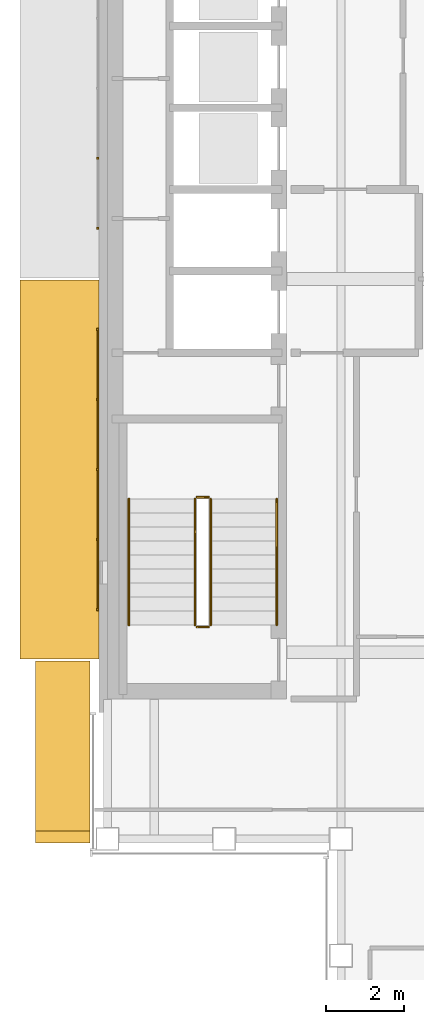
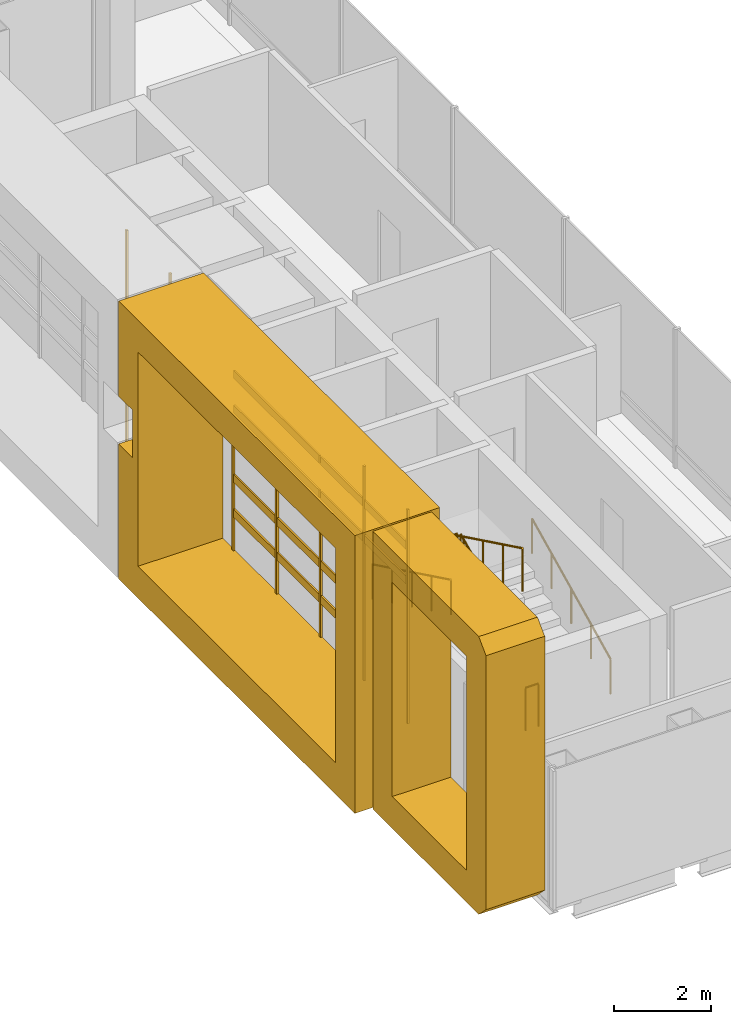
# One storey, part 16 of 21: 17 coverings, 6 railings.
"""IFC4 building model written with IfcOpenShell, lengths in metres."""

from ifc_helpers import new_model, si_unit, direction, frame, origin, origin_2d, place, context, subcontext, project, spatial, polyline, rectangle, circle, outline, extrude, material, type_object, element, save


model = new_model("IFC4")

# Units and contexts
model_context = context("Model", 3, precision=1e-05, world=origin(), true_north=direction((0.0, 1.0)))
body_context = subcontext(model_context, "Body", "Model", "MODEL_VIEW")
ifc_project = project(units=[si_unit("LENGTHUNIT", "METRE"), si_unit("AREAUNIT", "SQUARE_METRE"), si_unit("VOLUMEUNIT", "CUBIC_METRE"), si_unit("PLANEANGLEUNIT", "RADIAN"), si_unit("MASSUNIT", "GRAM", prefix="KILO")], contexts=[model_context])

# Site, building, storey
site_placement = place(None, origin())
site = spatial("IfcSite", under=ifc_project, at=site_placement, CompositionType="ELEMENT")
building_placement = place(site_placement, origin())
building = spatial("IfcBuilding", under=site, at=building_placement, Name="Cobrizo Arcos Hotel Tower", CompositionType="ELEMENT")
storey_placement = place(building_placement, frame((0.0, 0.0, 283.0)))
storey = spatial("IfcBuildingStorey", under=building, at=storey_placement, Name="L75", CompositionType="ELEMENT", Elevation=283.0)

# Coverings
ifc_material_1 = material(Name="Aluminium 6063-T6 anodised bronze", Category="aluminium")
covering_type_1 = type_object("IfcCoveringType", Name="FIN-F 1400", PredefinedType="CLADDING", material=ifc_material_1)
covering_1_placement = place(storey_placement, frame((-20.85009765625, -9.824951171875, 0.0), z_axis=(-1.0, 0.0, 0.0), x_axis=(0.0, -1.0, 0.0)))
element("IfcCovering", 1, at=covering_1_placement, inside=storey, type_object=covering_type_1, Name="Fin frame 450", PredefinedType="CLADDING", context=body_context, shape_type="SweptSolid", body=[
    extrude(outline(polyline([(0.0, 7.0), (0.0, 0.0), (4.375, 0.0), (4.675048828125, 0.300048828125), (4.675048828125, 6.699951171875), (4.375, 7.0), (0.0, 7.0)]), holes=[polyline([(3.875, 0.800048828125), (0.800048828125, 0.800048828125), (0.800048828125, 6.199951171875), (3.875, 6.199951171875), (3.875, 0.800048828125)])]), origin(), (0.0, 0.0, 1.0), 1.39990234375),
])
covering_type_2 = type_object("IfcCoveringType", Name="FIN-F 2025", PredefinedType="CLADDING", material=ifc_material_1)
covering_2_placement = place(storey_placement, frame((-20.625, -0.02490234375, 0.0), z_axis=(-1.0, 0.0, 0.0), x_axis=(0.0, -1.0, 0.0)))
element("IfcCovering", 2, at=covering_2_placement, inside=storey, type_object=covering_type_2, Name="Fin frame 449", PredefinedType="CLADDING", context=body_context, shape_type="SweptSolid", body=[
    extrude(outline(polyline([(0.0, 7.0), (0.0, 4.60205078125), (0.576904296875, 4.60205078125), (0.576904296875, 3.39794921875), (0.0, 3.39794921875), (0.0, 0.0), (9.75, 0.0), (9.75, 7.0), (0.0, 7.0)]), holes=[polyline([(8.949951171875, 0.800048828125), (0.800048828125, 0.800048828125), (0.800048828125, 6.199951171875), (8.949951171875, 6.199951171875), (8.949951171875, 0.800048828125)])]), origin(), (0.0, 0.0, 1.0), 2.02490234375),
])
ifc_material_2 = material(Name="Aluminium 6063-T6 anodised pale", Category="aluminium")
covering_type_3 = type_object("IfcCoveringType", Name="RS-2 rainscreen rib 60x50", PredefinedType="CLADDING", material=ifc_material_2)
for number, where, z_axis, x_axis, name in (
    (3, (-20.64990234375, 3.10009765625, 0.800048828125), (0.0, 0.0, 1.0), (0.0, -1.0, 0.0), "Rainscreen rib 374"),
    (4, (-20.64990234375, 1.300048828125, 0.800048828125), (0.0, 0.0, 1.0), (0.0, -1.0, 0.0), "Rainscreen rib 375"),
    (5, (-20.64990234375, -1.300048828125, 0.800048828125), (0.0, 0.0, 1.0), (0.0, -1.0, 0.0), "Rainscreen rib 376"),
    (6, (-20.64990234375, -3.10009765625, 0.800048828125), (0.0, 0.0, 1.0), (0.0, -1.0, 0.0), "Rainscreen rib 377"),
    (7, (-20.64990234375, -4.89990234375, 0.800048828125), (0.0, 0.0, 1.0), (0.0, -1.0, 0.0), "Rainscreen rib 378"),
    (8, (-20.64990234375, -6.699951171875, 0.800048828125), (0.0, 0.0, 1.0), (0.0, -1.0, 0.0), "Rainscreen rib 379"),
    (9, (-20.64990234375, -8.5, 0.800048828125), (0.0, 0.0, 1.0), (0.0, -1.0, 0.0), "Rainscreen rib 380"),
):
    element("IfcCovering", number, at=place(storey_placement, frame(where, z_axis=z_axis, x_axis=x_axis)), inside=storey, type_object=covering_type_3, Name=name, PredefinedType="CLADDING", context=body_context, shape_type="SweptSolid", body=[
        extrude(rectangle(XDim=0.06005859375, YDim=0.050048828125, at=origin_2d()), origin(), (0.0, 0.0, 1.0), 5.39990234375),
    ])
covering_type_4 = type_object("IfcCoveringType", Name="RS-3 rainscreen louvre slat 200x40", PredefinedType="CLADDING", material=ifc_material_2)
for number, where, z_axis, x_axis, name in (
    (10, (-20.64501953125, -3.10009765625, 1.64990234375), (0.0, 0.0, 1.0), (0.0, -1.0, 0.0), "Rainscreen slat 269"),
    (11, (-20.64501953125, -3.10009765625, 2.52490234375), (0.0, 0.0, 1.0), (0.0, -1.0, 0.0), "Rainscreen slat 270"),
    (12, (-20.64501953125, -6.699951171875, 1.64990234375), (0.0, 0.0, 1.0), (0.0, -1.0, 0.0), "Rainscreen slat 271"),
    (13, (-20.64501953125, -6.699951171875, 2.52490234375), (0.0, 0.0, 1.0), (0.0, -1.0, 0.0), "Rainscreen slat 272"),
    (14, (-20.64501953125, -3.10009765625, 4.27490234375), (0.0, 0.0, 1.0), (0.0, -1.0, 0.0), "Rainscreen slat 273"),
    (15, (-20.64501953125, -3.10009765625, 5.14990234375), (0.0, 0.0, 1.0), (0.0, -1.0, 0.0), "Rainscreen slat 274"),
    (16, (-20.64501953125, -6.699951171875, 4.27490234375), (0.0, 0.0, 1.0), (0.0, -1.0, 0.0), "Rainscreen slat 275"),
    (17, (-20.64501953125, -6.699951171875, 5.14990234375), (0.0, 0.0, 1.0), (0.0, -1.0, 0.0), "Rainscreen slat 276"),
):
    element("IfcCovering", number, at=place(storey_placement, frame(where, z_axis=z_axis, x_axis=x_axis)), inside=storey, type_object=covering_type_4, Name=name, PredefinedType="CLADDING", context=body_context, shape_type="SweptSolid", body=[
        extrude(rectangle(XDim=3.5400390625, YDim=0.0400390625, at=origin_2d()), origin(), (0.0, 0.0, 1.0), 0.199951171875),
    ])

# Railings
ifc_material_3 = material(Name="Stainless steel railing", Category="steel")
railing_type_1 = type_object("IfcRailingType", Name="Stair guard 1100", PredefinedType="GUARDRAIL", material=ifc_material_3)
railing_1_placement = place(storey_placement, frame((-17.75, -8.89990234375, 0.175048828125)))
element("IfcRailing", 18, at=railing_1_placement, inside=storey, type_object=railing_type_1, Name="L75 ST-W stair guard 1", PredefinedType="GUARDRAIL", context=body_context, shape_type="SweptSolid", body=[
    extrude(circle(Radius=0.02392578125, at=origin_2d()), frame((0.0, 0.0, 1.076171875), z_axis=(0.0, 0.899372665325, 0.437182809435), x_axis=(-1.0, 0.0, 0.0)), (0.0, 0.0, 1.0), 3.6025390625),
    extrude(circle(Radius=0.02099609375, at=origin_2d()), origin(), (0.0, 0.0, 1.0), 1.052001953125),
    extrude(circle(Radius=0.02099609375, at=origin_2d()), frame((0.0, 0.81005859375, 0.393798828125)), (0.0, 0.0, 1.0), 1.052001953125),
    extrude(circle(Radius=0.02099609375, at=origin_2d()), frame((0.0, 1.6201171875, 0.78759765625)), (0.0, 0.0, 1.0), 1.052001953125),
    extrude(circle(Radius=0.02099609375, at=origin_2d()), frame((0.0, 2.429931640625, 1.18115234375)), (0.0, 0.0, 1.0), 1.052001953125),
    extrude(circle(Radius=0.02099609375, at=origin_2d()), frame((0.0, 3.239990234375, 1.574951171875)), (0.0, 0.0, 1.0), 1.052001953125),
])
railing_2_placement = place(storey_placement, frame((-17.800048828125, -5.610107421875, 1.75)))
element("IfcRailing", 19, at=railing_2_placement, inside=storey, type_object=railing_type_1, Name="L75 ST-W stair guard 2", PredefinedType="GUARDRAIL", context=body_context, shape_type="SweptSolid", body=[
    extrude(circle(Radius=0.02392578125, at=origin_2d()), frame((0.0, 0.0, 1.076171875), z_axis=(-1.0, 0.0, 0.0), x_axis=(0.0, -1.0, 0.0)), (0.0, 0.0, 1.0), 0.300048828125),
    extrude(circle(Radius=0.02099609375, at=origin_2d()), origin(), (0.0, 0.0, 1.0), 1.052001953125),
    extrude(circle(Radius=0.02099609375, at=origin_2d()), frame((-0.300048828125, 0.0, 0.0)), (0.0, 0.0, 1.0), 1.052001953125),
])
railing_3_placement = place(storey_placement, frame((-18.14990234375, -5.659912109375, 1.925048828125)))
element("IfcRailing", 20, at=railing_3_placement, inside=storey, type_object=railing_type_1, Name="L75 ST-W stair guard 3", PredefinedType="GUARDRAIL", context=body_context, shape_type="SweptSolid", body=[
    extrude(circle(Radius=0.02392578125, at=origin_2d()), frame((0.0, 0.0, 1.076171875), z_axis=(0.0, -0.899372665325, 0.437182809435), x_axis=(1.0, 0.0, 0.0)), (0.0, 0.0, 1.0), 3.6025390625),
    extrude(circle(Radius=0.02099609375, at=origin_2d()), origin(), (0.0, 0.0, 1.0), 1.052001953125),
    extrude(circle(Radius=0.02099609375, at=origin_2d()), frame((0.0, -0.81005859375, 0.393798828125)), (0.0, 0.0, 1.0), 1.052001953125),
    extrude(circle(Radius=0.02099609375, at=origin_2d()), frame((0.0, -1.6201171875, 0.78759765625)), (0.0, 0.0, 1.0), 1.052001953125),
    extrude(circle(Radius=0.02099609375, at=origin_2d()), frame((0.0, -2.429931640625, 1.18115234375)), (0.0, 0.0, 1.0), 1.052001953125),
    extrude(circle(Radius=0.02099609375, at=origin_2d()), frame((0.0, -3.239990234375, 1.574951171875)), (0.0, 0.0, 1.0), 1.052001953125),
])
railing_4_placement = place(storey_placement, frame((-17.800048828125, -8.949951171875, 0.0)))
element("IfcRailing", 21, at=railing_4_placement, inside=storey, type_object=railing_type_1, Name="L75 ST-W stair guard 4", PredefinedType="GUARDRAIL", context=body_context, shape_type="SweptSolid", body=[
    extrude(circle(Radius=0.02392578125, at=origin_2d()), frame((0.0, 0.0, 1.076171875), z_axis=(-1.0, 0.0, 0.0), x_axis=(0.0, -1.0, 0.0)), (0.0, 0.0, 1.0), 0.300048828125),
    extrude(circle(Radius=0.02099609375, at=origin_2d()), origin(), (0.0, 0.0, 1.0), 1.052001953125),
    extrude(circle(Radius=0.02099609375, at=origin_2d()), frame((-0.300048828125, 0.0, 0.0)), (0.0, 0.0, 1.0), 1.052001953125),
])
railing_type_2 = type_object("IfcRailingType", Name="Stair handrail", PredefinedType="HANDRAIL", material=ifc_material_3)
railing_5_placement = place(storey_placement, frame((-16.050048828125, -8.89990234375, 0.175048828125)))
element("IfcRailing", 22, at=railing_5_placement, inside=storey, type_object=railing_type_2, Name="L75 ST-W stair handrail 1", PredefinedType="HANDRAIL", context=body_context, shape_type="SweptSolid", body=[
    extrude(circle(Radius=0.02392578125, at=origin_2d()), frame((0.0, 0.0, 0.8759765625), z_axis=(0.0, 0.899372665325, 0.437182809435), x_axis=(-1.0, 0.0, 0.0)), (0.0, 0.0, 1.0), 3.6025390625),
    extrude(circle(Radius=0.02099609375, at=origin_2d()), origin(), (0.0, 0.0, 1.0), 0.851806640625),
    extrude(circle(Radius=0.02099609375, at=origin_2d()), frame((0.0, 0.81005859375, 0.393798828125)), (0.0, 0.0, 1.0), 0.851806640625),
    extrude(circle(Radius=0.02099609375, at=origin_2d()), frame((0.0, 1.6201171875, 0.78759765625)), (0.0, 0.0, 1.0), 0.851806640625),
    extrude(circle(Radius=0.02099609375, at=origin_2d()), frame((0.0, 2.429931640625, 1.18115234375)), (0.0, 0.0, 1.0), 0.851806640625),
    extrude(circle(Radius=0.02099609375, at=origin_2d()), frame((0.0, 3.239990234375, 1.574951171875)), (0.0, 0.0, 1.0), 0.851806640625),
])
railing_6_placement = place(storey_placement, frame((-19.85009765625, -5.659912109375, 1.925048828125)))
element("IfcRailing", 23, at=railing_6_placement, inside=storey, type_object=railing_type_2, Name="L75 ST-W stair handrail 2", PredefinedType="HANDRAIL", context=body_context, shape_type="SweptSolid", body=[
    extrude(circle(Radius=0.02392578125, at=origin_2d()), frame((0.0, 0.0, 0.8759765625), z_axis=(0.0, -0.899372665325, 0.437182809435), x_axis=(1.0, 0.0, 0.0)), (0.0, 0.0, 1.0), 3.6025390625),
    extrude(circle(Radius=0.02099609375, at=origin_2d()), origin(), (0.0, 0.0, 1.0), 0.851806640625),
    extrude(circle(Radius=0.02099609375, at=origin_2d()), frame((0.0, -0.81005859375, 0.393798828125)), (0.0, 0.0, 1.0), 0.851806640625),
    extrude(circle(Radius=0.02099609375, at=origin_2d()), frame((0.0, -1.6201171875, 0.78759765625)), (0.0, 0.0, 1.0), 0.851806640625),
    extrude(circle(Radius=0.02099609375, at=origin_2d()), frame((0.0, -2.429931640625, 1.18115234375)), (0.0, 0.0, 1.0), 0.851806640625),
    extrude(circle(Radius=0.02099609375, at=origin_2d()), frame((0.0, -3.239990234375, 1.574951171875)), (0.0, 0.0, 1.0), 0.851806640625),
])

save(model, "model.ifc")
